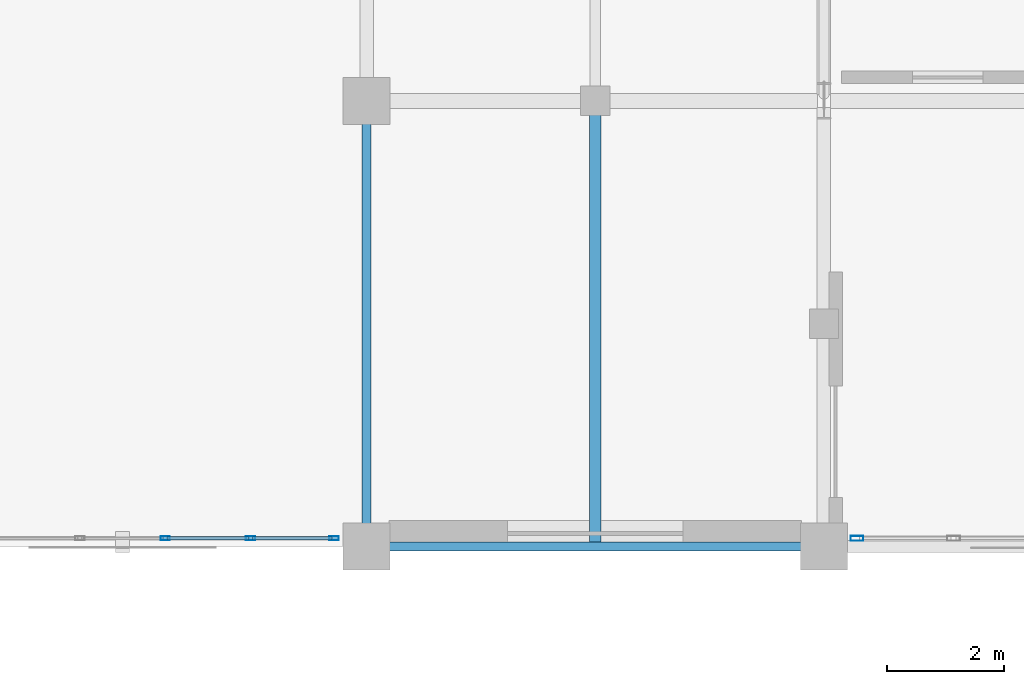
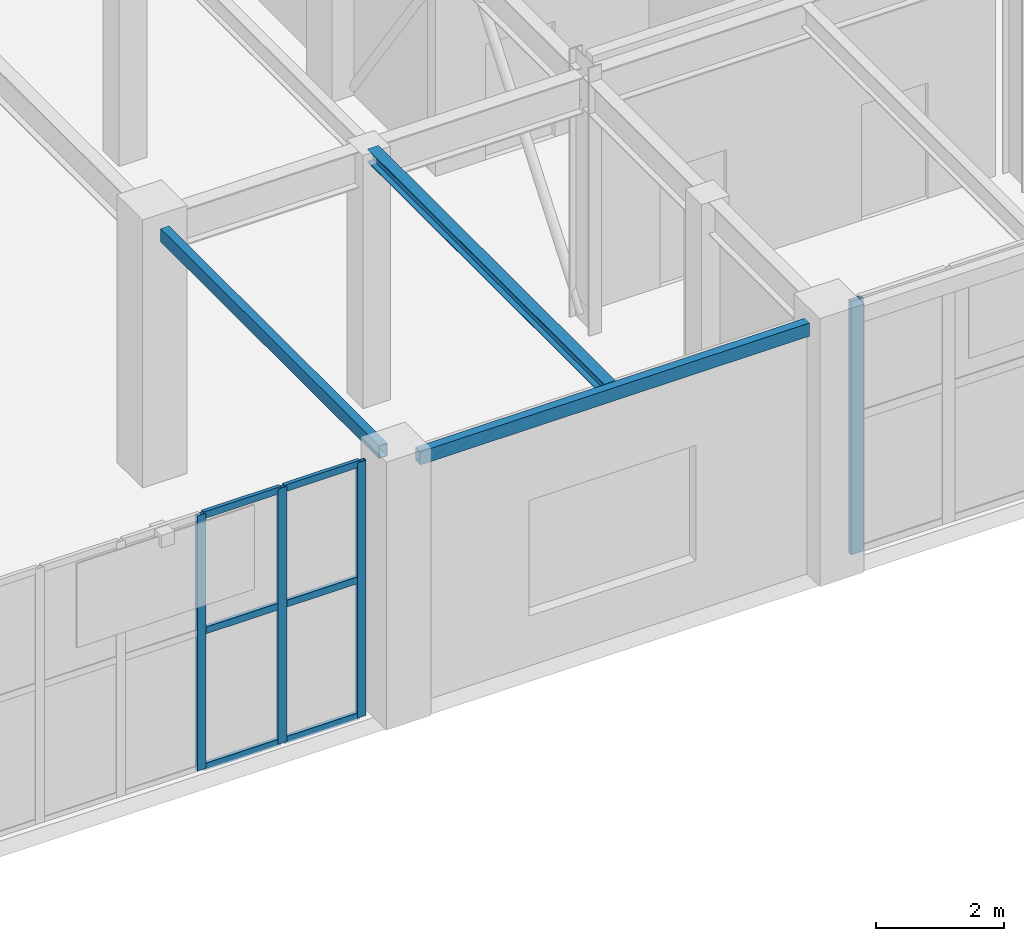
# One storey, part 88 of 128: 10 members, 3 beams, 2 elements without a shape of their own.
"""IFC4 building model written with IfcOpenShell, lengths in metres."""

from ifc_helpers import new_model, si_unit, direction, frame, origin, origin_2d, place, context, subcontext, project, spatial, hollow_rectangle, i_section, extrude, material, layer, layer_set, material_profile, profile_set, type_object, element, aggregate, save


model = new_model("IFC4")

# Units and contexts
model_context = context("Model", 3, precision=1e-05, world=origin(), true_north=direction((0.0, 1.0)))
body_context = subcontext(model_context, "Body", "Model", "MODEL_VIEW")
ifc_project = project(units=[si_unit("LENGTHUNIT", "METRE"), si_unit("AREAUNIT", "SQUARE_METRE"), si_unit("VOLUMEUNIT", "CUBIC_METRE"), si_unit("PLANEANGLEUNIT", "RADIAN"), si_unit("MASSUNIT", "GRAM", prefix="KILO")], contexts=[model_context])

# Site, building, storey
site_placement = place(None, origin())
site = spatial("IfcSite", under=ifc_project, at=site_placement, CompositionType="ELEMENT")
building_placement = place(site_placement, origin())
building = spatial("IfcBuilding", under=site, at=building_placement, Name="Xicomal Pleat Aquarium", CompositionType="ELEMENT")
storey_placement = place(building_placement, frame((0.0, 0.0, 5.39990234375)))
storey = spatial("IfcBuildingStorey", under=building, at=storey_placement, Name="L02", CompositionType="ELEMENT", Elevation=5.39990234375)

# Beams
ifc_material_1 = material(Name="Structural steel A992 Gr 50", Category="steel")
ifc_material_profile_1 = material_profile(ifc_material_1, i_section(OverallWidth=0.201904296875, OverallDepth=0.2470703125, WebThickness=0.00732421875, FlangeThickness=0.010986328125, at=origin_2d()), Name="IR 250x49")
ifc_profile_set_1 = profile_set([ifc_material_profile_1], Name="Structural steel A992 Gr 50")
beam_type_1 = type_object("IfcBeamType", Name="BM-STL-IR250", PredefinedType="JOIST", material=ifc_profile_set_1)
beam_1_placement = place(storey_placement, frame((137.699951171875, 76.077880859375, 4.696533203125), z_axis=(0.0, 1.0, 0.0), x_axis=(-1.0, 0.0, 0.0)))
element("IfcBeam", 1, at=beam_1_placement, inside=storey, type_object=beam_type_1, Name="L02 framing beam FBJ-L02-17-L-1", PredefinedType="JOIST", context=body_context, shape_type="SweptSolid", body=[
    extrude(i_section(OverallWidth=0.201904296875, OverallDepth=0.2470703125, WebThickness=0.00732421875, FlangeThickness=0.010986328125, at=origin_2d()), origin(), (0.0, 0.0, 1.0), 7.39111328125),
])
ifc_material_2 = material(Name="Structural steel A500 Gr C", Category="steel")
ifc_material_profile_2 = material_profile(ifc_material_2, hollow_rectangle(XDim=0.14990234375, YDim=0.25, WallThickness=0.010009765625, at=origin_2d()), Name="OR 250x150x10")
ifc_profile_set_2 = profile_set([ifc_material_profile_2], Name="Structural steel A500 Gr C")
beam_type_2 = type_object("IfcBeamType", Name="BM-STL-OR250", PredefinedType="SPANDREL", material=ifc_profile_set_2)
beam_2_placement = place(storey_placement, frame((134.195068359375, 76.0, 4.695068359375), z_axis=(1.0, 0.0, 0.0), x_axis=(0.0, 1.0, 0.0)))
element("IfcBeam", 2, at=beam_2_placement, inside=storey, type_object=beam_type_2, Name="L02 framing beam FGX-L02-17-18-L", PredefinedType="SPANDREL", context=body_context, shape_type="SweptSolid", body=[
    extrude(hollow_rectangle(XDim=0.14990234375, YDim=0.25, WallThickness=0.010009765625, at=origin_2d()), origin(), (0.0, 0.0, 1.0), 7.010009765625),
])
beam_3_placement = place(storey_placement, frame((133.800048828125, 76.39501953125, 4.695068359375), z_axis=(0.0, 1.0, 0.0), x_axis=(-1.0, 0.0, 0.0)))
element("IfcBeam", 3, at=beam_3_placement, inside=storey, type_object=beam_type_2, Name="L02 framing beam FGY-L02-17-L-M", PredefinedType="SPANDREL", context=body_context, shape_type="SweptSolid", body=[
    extrude(hollow_rectangle(XDim=0.14990234375, YDim=0.25, WallThickness=0.010009765625, at=origin_2d()), origin(), (0.0, 0.0, 1.0), 6.81005859375),
])

# Curtain wall, members
ifc_material_3 = material(Name="Bronze anodized aluminium 6063-T6", Category="aluminium")
ifc_layer_1 = layer(ifc_material_3, 0.159912109375)
ifc_layer_set_1 = layer_set([ifc_layer_1], Name="Bronze anodized aluminium 6063-T6")
curtain_wall_type_1 = type_object("IfcCurtainWallType", Name="CW-SYS-02", PredefinedType="NOTDEFINED", material=ifc_layer_set_1)
curtain_wall_1_placement = place(storey_placement, origin())
curtain_wall_1 = element("IfcCurtainWall", 4, at=curtain_wall_1_placement, inside=storey, type_object=curtain_wall_type_1, Name="L02 unitised curtain wall CW-L02-084", PredefinedType="NOTDEFINED")
ifc_material_4 = material(Name="Bronze anodized aluminium 6063-T6", Category="aluminium")
ifc_material_profile_3 = material_profile(ifc_material_4, hollow_rectangle(XDim=0.06494140625, YDim=0.159912109375, WallThickness=0.00390625, at=origin_2d()), Name="ALU MULL 65x160")
ifc_profile_set_3 = profile_set([ifc_material_profile_3], Name="Bronze anodized aluminium 6063-T6")
member_type_1 = type_object("IfcMemberType", Name="CWM-65x160", PredefinedType="MULLION", material=ifc_profile_set_3)
member_1_placement = place(storey_placement, frame((133.24755859375, 76.139892578125, 0.0), z_axis=(0.0, 0.0, 1.0), x_axis=(0.0, -1.0, 0.0)))
member_1 = element("IfcMember", 5, at=member_1_placement, type_object=member_type_1, Name="CW-02 mullion 1", PredefinedType="MULLION", context=body_context, shape_type="SweptSolid", body=[
    extrude(hollow_rectangle(XDim=0.06494140625, YDim=0.159912109375, WallThickness=0.00390625, at=origin_2d()), origin(), (0.0, 0.0, 1.0), 4.860107421875),
])
member_2_placement = place(storey_placement, frame((131.823974609375, 76.139892578125, 0.0), z_axis=(0.0, 0.0, 1.0), x_axis=(0.0, -1.0, 0.0)))
member_2 = element("IfcMember", 6, at=member_2_placement, type_object=member_type_1, Name="CW-02 mullion 2", PredefinedType="MULLION", context=body_context, shape_type="SweptSolid", body=[
    extrude(hollow_rectangle(XDim=0.06494140625, YDim=0.159912109375, WallThickness=0.00390625, at=origin_2d()), origin(), (0.0, 0.0, 1.0), 4.860107421875),
])
member_3_placement = place(storey_placement, frame((130.367919921875, 76.139892578125, 0.0), z_axis=(0.0, 0.0, 1.0), x_axis=(0.0, -1.0, 0.0)))
member_3 = element("IfcMember", 7, at=member_3_placement, type_object=member_type_1, Name="CW-02 mullion 3", PredefinedType="MULLION", context=body_context, shape_type="SweptSolid", body=[
    extrude(hollow_rectangle(XDim=0.06494140625, YDim=0.159912109375, WallThickness=0.00390625, at=origin_2d()), origin(), (0.0, 0.0, 1.0), 4.860107421875),
])

# Curtain wall, member
ifc_material_5 = material(Name="Bronze anodized aluminium 6063-T6", Category="aluminium")
ifc_layer_2 = layer(ifc_material_5, 0.159912109375)
ifc_layer_set_2 = layer_set([ifc_layer_2], Name="Bronze anodized aluminium 6063-T6")
curtain_wall_type_2 = type_object("IfcCurtainWallType", Name="CW-SYS-12", PredefinedType="NOTDEFINED", material=ifc_layer_set_2)
curtain_wall_2_placement = place(storey_placement, origin())
curtain_wall_2 = element("IfcCurtainWall", 8, at=curtain_wall_2_placement, inside=storey, type_object=curtain_wall_type_2, Name="L02 unitised curtain wall CW-L02-083", PredefinedType="NOTDEFINED")
ifc_material_6 = material(Name="Bronze anodized aluminium 6063-T6", Category="aluminium")
ifc_material_profile_4 = material_profile(ifc_material_6, hollow_rectangle(XDim=0.0849609375, YDim=0.219970703125, WallThickness=0.0048828125, at=origin_2d()), Name="ALU MULL 85x220")
ifc_profile_set_4 = profile_set([ifc_material_profile_4], Name="Bronze anodized aluminium 6063-T6")
member_type_2 = type_object("IfcMemberType", Name="CWM-85x220", PredefinedType="MULLION", material=ifc_profile_set_4)
member_4_placement = place(storey_placement, frame((142.16259765625, 76.139892578125, 0.0), z_axis=(0.0, 0.0, 1.0), x_axis=(0.0, -1.0, 0.0)))
member_4 = element("IfcMember", 9, at=member_4_placement, type_object=member_type_2, Name="CW-12 mullion 5", PredefinedType="MULLION", context=body_context, shape_type="SweptSolid", body=[
    extrude(hollow_rectangle(XDim=0.0849609375, YDim=0.219970703125, WallThickness=0.0048828125, at=origin_2d()), origin(), (0.0, 0.0, 1.0), 4.820068359375),
])
aggregate(curtain_wall_2, [member_4])

# Member
ifc_material_7 = material(Name="Bronze anodized aluminium 6063-T6", Category="aluminium")
ifc_material_profile_5 = material_profile(ifc_material_7, hollow_rectangle(XDim=0.06494140625, YDim=0.1298828125, WallThickness=0.00390625, at=origin_2d()), Name="ALU TRAN 65x130")
ifc_profile_set_5 = profile_set([ifc_material_profile_5], Name="Bronze anodized aluminium 6063-T6")
member_type_3 = type_object("IfcMemberType", Name="CWT-65x130", PredefinedType="USERDEFINED", material=ifc_profile_set_5)
member_5_placement = place(storey_placement, frame((133.215087890625, 76.139892578125, 0.03271484375), z_axis=(-1.0, 0.0, 0.0), x_axis=(0.0, -1.0, 0.0)))
member_5 = element("IfcMember", 10, at=member_5_placement, type_object=member_type_3, Name="CW-02 transom 1.1", ObjectType="TRANSOM", PredefinedType="USERDEFINED", context=body_context, shape_type="SweptSolid", body=[
    extrude(hollow_rectangle(XDim=0.06494140625, YDim=0.1298828125, WallThickness=0.00390625, at=origin_2d()), origin(), (0.0, 0.0, 1.0), 1.358642578125),
])

member_6_placement = place(storey_placement, frame((133.215087890625, 76.139892578125, 2.6240234375), z_axis=(-1.0, 0.0, 0.0), x_axis=(0.0, -1.0, 0.0)))
member_6 = element("IfcMember", 11, at=member_6_placement, type_object=member_type_3, Name="CW-02 transom 1.2", ObjectType="TRANSOM", PredefinedType="USERDEFINED", context=body_context, shape_type="SweptSolid", body=[
    extrude(hollow_rectangle(XDim=0.06494140625, YDim=0.1298828125, WallThickness=0.00390625, at=origin_2d()), origin(), (0.0, 0.0, 1.0), 1.358642578125),
])

member_7_placement = place(storey_placement, frame((133.215087890625, 76.139892578125, 4.82763671875), z_axis=(-1.0, 0.0, 0.0), x_axis=(0.0, -1.0, 0.0)))
member_7 = element("IfcMember", 12, at=member_7_placement, type_object=member_type_3, Name="CW-02 transom 1.3", ObjectType="TRANSOM", PredefinedType="USERDEFINED", context=body_context, shape_type="SweptSolid", body=[
    extrude(hollow_rectangle(XDim=0.06494140625, YDim=0.1298828125, WallThickness=0.00390625, at=origin_2d()), origin(), (0.0, 0.0, 1.0), 1.358642578125),
])

member_8_placement = place(storey_placement, frame((131.79150390625, 76.139892578125, 0.03271484375), z_axis=(-1.0, 0.0, 0.0), x_axis=(0.0, -1.0, 0.0)))
member_8 = element("IfcMember", 13, at=member_8_placement, type_object=member_type_3, Name="CW-02 transom 2.1", ObjectType="TRANSOM", PredefinedType="USERDEFINED", context=body_context, shape_type="SweptSolid", body=[
    extrude(hollow_rectangle(XDim=0.06494140625, YDim=0.1298828125, WallThickness=0.00390625, at=origin_2d()), origin(), (0.0, 0.0, 1.0), 1.39111328125),
])

member_9_placement = place(storey_placement, frame((131.79150390625, 76.139892578125, 2.6240234375), z_axis=(-1.0, 0.0, 0.0), x_axis=(0.0, -1.0, 0.0)))
member_9 = element("IfcMember", 14, at=member_9_placement, type_object=member_type_3, Name="CW-02 transom 2.2", ObjectType="TRANSOM", PredefinedType="USERDEFINED", context=body_context, shape_type="SweptSolid", body=[
    extrude(hollow_rectangle(XDim=0.06494140625, YDim=0.1298828125, WallThickness=0.00390625, at=origin_2d()), origin(), (0.0, 0.0, 1.0), 1.39111328125),
])

member_10_placement = place(storey_placement, frame((131.79150390625, 76.139892578125, 4.82763671875), z_axis=(-1.0, 0.0, 0.0), x_axis=(0.0, -1.0, 0.0)))
member_10 = element("IfcMember", 15, at=member_10_placement, type_object=member_type_3, Name="CW-02 transom 2.3", ObjectType="TRANSOM", PredefinedType="USERDEFINED", context=body_context, shape_type="SweptSolid", body=[
    extrude(hollow_rectangle(XDim=0.06494140625, YDim=0.1298828125, WallThickness=0.00390625, at=origin_2d()), origin(), (0.0, 0.0, 1.0), 1.39111328125),
])

aggregate(curtain_wall_1, [member_1, member_2, member_3, member_5, member_6, member_7, member_8, member_9, member_10])

save(model, "model.ifc")
